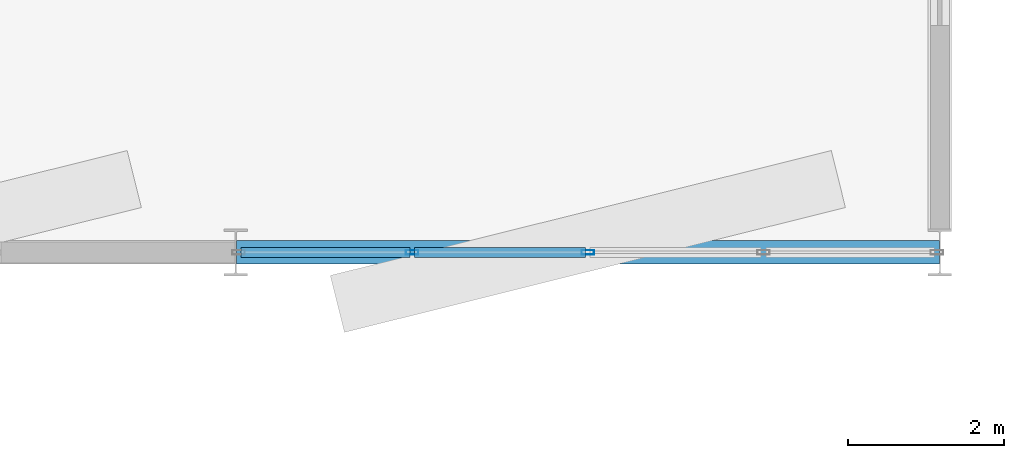
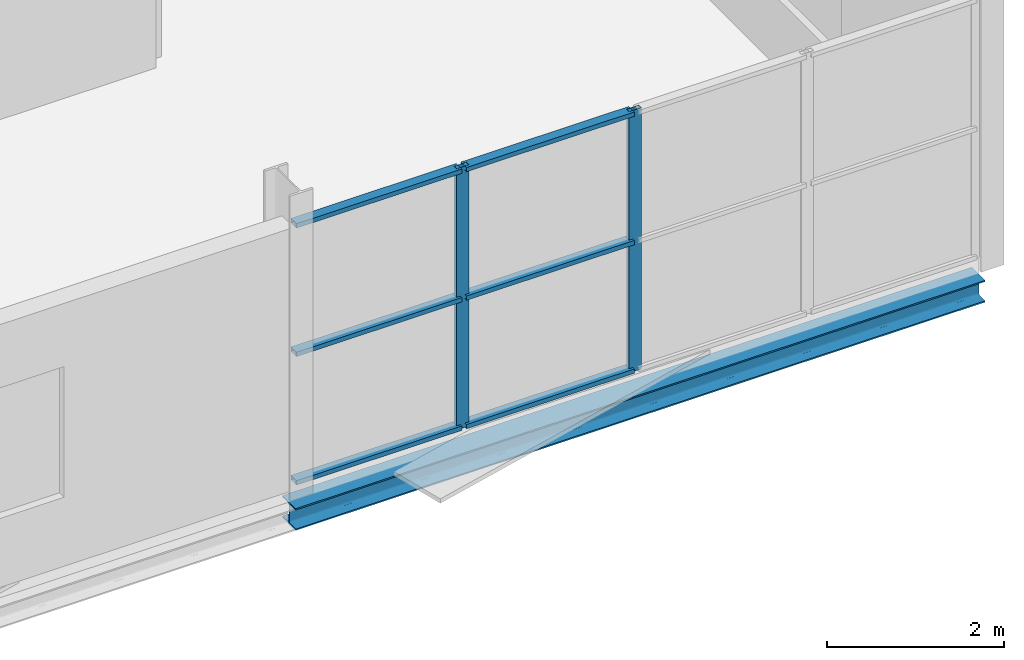
# One storey, part 82 of 135: 8 members, 1 beam, 1 element without a shape of its own.
"""IFC4 building model written with IfcOpenShell, lengths in metres."""

from ifc_helpers import new_model, si_unit, direction, frame, origin, origin_2d, place, context, subcontext, project, spatial, hollow_rectangle, i_section, extrude, material, layer, layer_set, material_profile, profile_set, type_object, element, aggregate, save


model = new_model("IFC4")

# Units and contexts
model_context = context("Model", 3, precision=1e-05, world=origin(), true_north=direction((0.0, 1.0)))
body_context = subcontext(model_context, "Body", "Model", "MODEL_VIEW")
ifc_project = project(units=[si_unit("LENGTHUNIT", "METRE"), si_unit("AREAUNIT", "SQUARE_METRE"), si_unit("VOLUMEUNIT", "CUBIC_METRE"), si_unit("PLANEANGLEUNIT", "RADIAN"), si_unit("MASSUNIT", "GRAM", prefix="KILO")], contexts=[model_context])

# Site, building, storey
site_placement = place(None, origin())
site = spatial("IfcSite", under=ifc_project, at=site_placement, CompositionType="ELEMENT")
building_placement = place(site_placement, origin())
building = spatial("IfcBuilding", under=site, at=building_placement, Name="Deido Ridge Mobility Hub", CompositionType="ELEMENT")
storey_placement = place(building_placement, frame((0.0, 0.0, 4.199951171875)))
storey = spatial("IfcBuildingStorey", under=building, at=storey_placement, Name="L01", CompositionType="ELEMENT", Elevation=4.199951171875)

# Curtain wall, members
ifc_material_1 = material(Name="Anodised aluminium EN AW-6063 T6", Category="aluminium")
ifc_layer = layer(ifc_material_1, 0.195068359375, Name="Anodised aluminium EN AW-6063 T6")
ifc_layer_set = layer_set([ifc_layer], Name="Anodised aluminium EN AW-6063 T6")
curtain_wall_type = type_object("IfcCurtainWallType", Name="CW-UF-3", PredefinedType="USERDEFINED", material=ifc_layer_set)
curtain_wall_placement = place(storey_placement, origin())
curtain_wall = element("IfcCurtainWall", 1, at=curtain_wall_placement, inside=storey, type_object=curtain_wall_type, Name="Unitised curtain wall CW3", ObjectType="UNITISED FACADE", PredefinedType="USERDEFINED")
ifc_material_profile_1 = material_profile(ifc_material_1, hollow_rectangle(XDim=0.06005859375, YDim=0.159912109375, WallThickness=0.00390625, at=origin_2d()), Name="RHS 60x160x4")
ifc_profile_set_1 = profile_set([ifc_material_profile_1], Name="Anodised aluminium EN AW-6063 T6")
member_type_1 = type_object("IfcMemberType", Name="MEM-MUL-60X160", PredefinedType="MULLION", material=ifc_profile_set_1)
member_1_placement = place(storey_placement, frame((173.25390625, 0.0, 0.0), z_axis=(0.0, 0.0, 1.0), x_axis=(0.0, 1.0, 0.0)))
member_1 = element("IfcMember", 2, at=member_1_placement, type_object=member_type_1, Name="CW3 mullion 2", PredefinedType="MULLION", context=body_context, shape_type="SweptSolid", body=[
    extrude(hollow_rectangle(XDim=0.06005859375, YDim=0.159912109375, WallThickness=0.00390625, at=origin_2d()), origin(), (0.0, 0.0, 1.0), 3.60009765625),
])
member_2_placement = place(storey_placement, frame((175.5, 0.0, 0.0), z_axis=(0.0, 0.0, 1.0), x_axis=(0.0, 1.0, 0.0)))
member_2 = element("IfcMember", 3, at=member_2_placement, type_object=member_type_1, Name="CW3 mullion 3", PredefinedType="MULLION", context=body_context, shape_type="SweptSolid", body=[
    extrude(hollow_rectangle(XDim=0.06005859375, YDim=0.159912109375, WallThickness=0.00390625, at=origin_2d()), origin(), (0.0, 0.0, 1.0), 3.60009765625),
])
ifc_material_profile_2 = material_profile(ifc_material_1, hollow_rectangle(XDim=0.125, YDim=0.06005859375, WallThickness=0.00390625, at=origin_2d()), Name="RHS 125x60x4")
ifc_profile_set_2 = profile_set([ifc_material_profile_2], Name="Anodised aluminium EN AW-6063 T6")
member_type_2 = type_object("IfcMemberType", Name="MEM-TRN-125X60", PredefinedType="USERDEFINED", material=ifc_profile_set_2)
member_3_placement = place(storey_placement, frame((171.067626953125, 0.0, 0.030029296875), z_axis=(1.0, 0.0, 0.0), x_axis=(0.0, 1.0, 0.0)))
member_3 = element("IfcMember", 4, at=member_3_placement, type_object=member_type_2, Name="CW3 transom 1.1", ObjectType="TRANSOM", PredefinedType="USERDEFINED", context=body_context, shape_type="SweptSolid", body=[
    extrude(hollow_rectangle(XDim=0.125, YDim=0.06005859375, WallThickness=0.00390625, at=origin_2d()), origin(), (0.0, 0.0, 1.0), 2.15625),
])
member_4_placement = place(storey_placement, frame((171.067626953125, 0.0, 1.800048828125), z_axis=(1.0, 0.0, 0.0), x_axis=(0.0, 1.0, 0.0)))
member_4 = element("IfcMember", 5, at=member_4_placement, type_object=member_type_2, Name="CW3 transom 1.2", ObjectType="TRANSOM", PredefinedType="USERDEFINED", context=body_context, shape_type="SweptSolid", body=[
    extrude(hollow_rectangle(XDim=0.125, YDim=0.06005859375, WallThickness=0.00390625, at=origin_2d()), origin(), (0.0, 0.0, 1.0), 2.15625),
])
member_5_placement = place(storey_placement, frame((171.067626953125, 0.0, 3.570068359375), z_axis=(1.0, 0.0, 0.0), x_axis=(0.0, 1.0, 0.0)))
member_5 = element("IfcMember", 6, at=member_5_placement, type_object=member_type_2, Name="CW3 transom 1.3", ObjectType="TRANSOM", PredefinedType="USERDEFINED", context=body_context, shape_type="SweptSolid", body=[
    extrude(hollow_rectangle(XDim=0.125, YDim=0.06005859375, WallThickness=0.00390625, at=origin_2d()), origin(), (0.0, 0.0, 1.0), 2.15625),
])
member_6_placement = place(storey_placement, frame((173.283935546875, 0.0, 0.030029296875), z_axis=(1.0, 0.0, 0.0), x_axis=(0.0, 1.0, 0.0)))
member_6 = element("IfcMember", 7, at=member_6_placement, type_object=member_type_2, Name="CW3 transom 2.1", ObjectType="TRANSOM", PredefinedType="USERDEFINED", context=body_context, shape_type="SweptSolid", body=[
    extrude(hollow_rectangle(XDim=0.125, YDim=0.06005859375, WallThickness=0.00390625, at=origin_2d()), origin(), (0.0, 0.0, 1.0), 2.18603515625),
])
member_7_placement = place(storey_placement, frame((173.283935546875, 0.0, 1.800048828125), z_axis=(1.0, 0.0, 0.0), x_axis=(0.0, 1.0, 0.0)))
member_7 = element("IfcMember", 8, at=member_7_placement, type_object=member_type_2, Name="CW3 transom 2.2", ObjectType="TRANSOM", PredefinedType="USERDEFINED", context=body_context, shape_type="SweptSolid", body=[
    extrude(hollow_rectangle(XDim=0.125, YDim=0.06005859375, WallThickness=0.00390625, at=origin_2d()), origin(), (0.0, 0.0, 1.0), 2.18603515625),
])
member_8_placement = place(storey_placement, frame((173.283935546875, 0.0, 3.570068359375), z_axis=(1.0, 0.0, 0.0), x_axis=(0.0, 1.0, 0.0)))
member_8 = element("IfcMember", 9, at=member_8_placement, type_object=member_type_2, Name="CW3 transom 2.3", ObjectType="TRANSOM", PredefinedType="USERDEFINED", context=body_context, shape_type="SweptSolid", body=[
    extrude(hollow_rectangle(XDim=0.125, YDim=0.06005859375, WallThickness=0.00390625, at=origin_2d()), origin(), (0.0, 0.0, 1.0), 2.18603515625),
])
aggregate(curtain_wall, [member_1, member_2, member_3, member_4, member_5, member_6, member_7, member_8])

# Beam
ifc_material_2 = material(Name="Steel S355J2 EN 10025-2", Category="steel")
ifc_material_profile_3 = material_profile(ifc_material_2, i_section(OverallWidth=0.300048828125, OverallDepth=0.300048828125, WebThickness=0.010986328125, FlangeThickness=0.01904296875, FilletRadius=0.027099609375, at=origin_2d()), Name="HEB 300")
ifc_profile_set_3 = profile_set([ifc_material_profile_3], Name="Steel S355J2 EN 10025-2")
beam_type = type_object("IfcBeamType", Name="SPD-HEB300", PredefinedType="SPANDREL", material=ifc_profile_set_3)
beam_placement = place(storey_placement, frame((171.0078125, 0.0, -0.39990234375), z_axis=(1.0, 0.0, 0.0), x_axis=(0.0, 1.0, 0.0)))
element("IfcBeam", 10, at=beam_placement, inside=storey, type_object=beam_type, Name="Floor beam SP1", PredefinedType="SPANDREL", context=body_context, shape_type="SweptSolid", body=[
    extrude(i_section(OverallWidth=0.300048828125, OverallDepth=0.300048828125, WebThickness=0.010986328125, FlangeThickness=0.01904296875, FilletRadius=0.027099609375, at=origin_2d()), origin(), (0.0, 0.0, 1.0), 8.984375),
])

save(model, "model.ifc")
